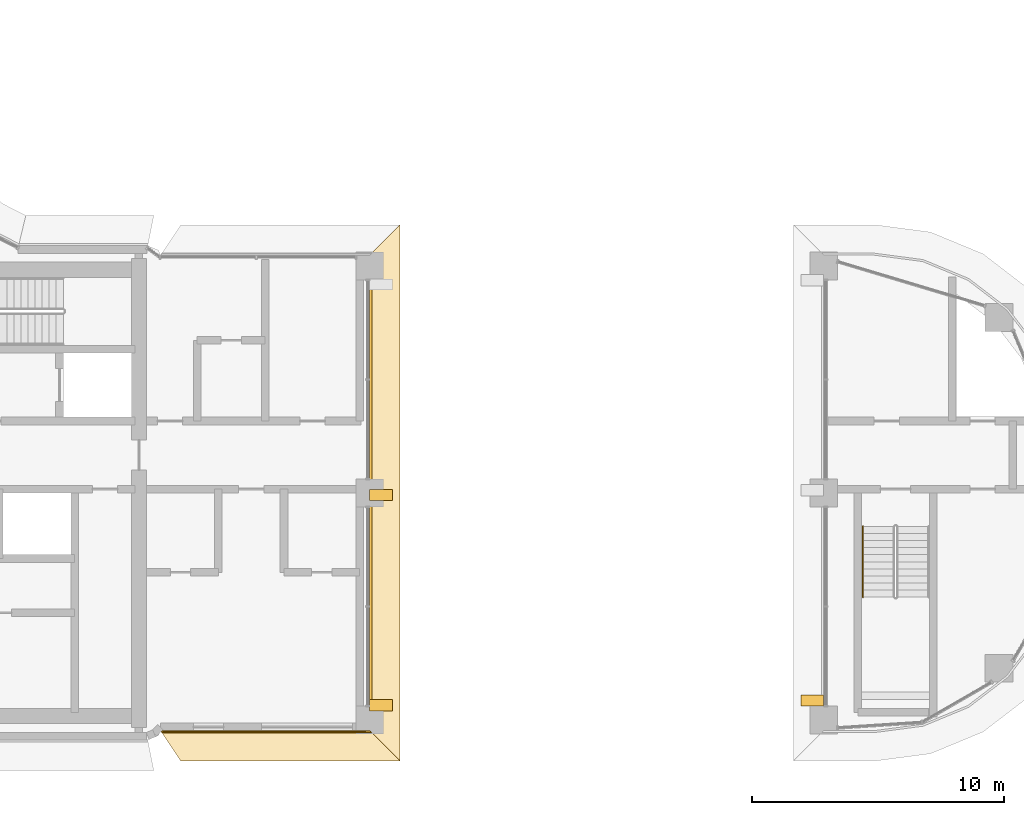
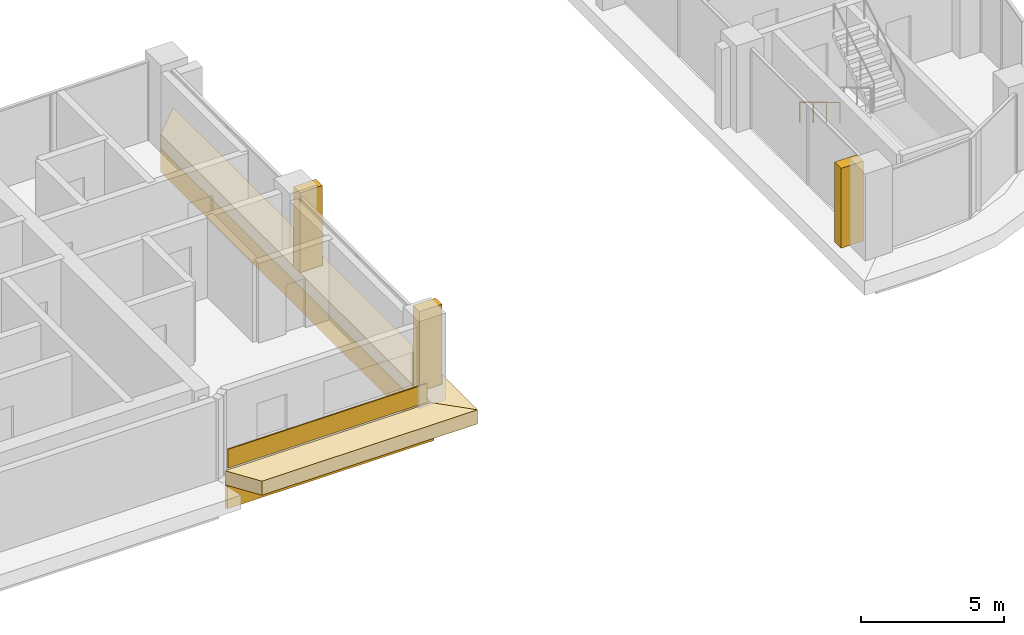
# One storey, part 19 of 24: 8 coverings, 1 railing.
"""IFC4 building model written with IfcOpenShell, lengths in metres."""

from ifc_helpers import new_model, si_unit, direction, frame, origin, origin_2d, place, context, subcontext, project, spatial, polyline, rectangle, circle, outline, extrude, material, layer, layer_set, type_object, element, save


model = new_model("IFC4")

# Units and contexts
model_context = context("Model", 3, precision=1e-05, world=origin(), true_north=direction((0.0, 1.0)))
body_context = subcontext(model_context, "Body", "Model", "MODEL_VIEW")
ifc_project = project(units=[si_unit("LENGTHUNIT", "METRE"), si_unit("AREAUNIT", "SQUARE_METRE"), si_unit("VOLUMEUNIT", "CUBIC_METRE"), si_unit("PLANEANGLEUNIT", "RADIAN"), si_unit("MASSUNIT", "GRAM", prefix="KILO")], contexts=[model_context])

# Site, building, storey
site_placement = place(None, origin())
site = spatial("IfcSite", under=ifc_project, at=site_placement, CompositionType="ELEMENT")
building_placement = place(site_placement, origin())
building = spatial("IfcBuilding", under=site, at=building_placement, Name="Ogive Portal Towers", CompositionType="ELEMENT")
storey_placement = place(building_placement, frame((0.0, 0.0, 153.300048828125)))
storey = spatial("IfcBuildingStorey", under=building, at=storey_placement, Name="L37", CompositionType="ELEMENT", Elevation=153.300048828125)

# Coverings
ifc_material_1 = material(Name="Limestone cladding on lightweight block wall", Category="masonry")
ifc_layer_1 = layer(ifc_material_1, 0.449951171875)
ifc_layer_set_1 = layer_set([ifc_layer_1], Name="BUTTRESS PIER STONE")
covering_type_1 = type_object("IfcCoveringType", Name="BUTTRESS PIER STONE", PredefinedType="CLADDING", material=ifc_layer_set_1)
for number, where, z_axis, x_axis, name in (
    (1, (67.949951171875, 30.419921875, 0.0), (0.0, 0.0, 1.0), (1.0, 0.0, 0.0), "Buttress pier A1-F13.1"),
    (2, (67.949951171875, 22.074951171875, 0.0), (0.0, 0.0, 1.0), (1.0, 0.0, 0.0), "Buttress pier A1-F13.2"),
    (3, (85.050048828125, 22.267822265625, 0.0), (0.0, 0.0, 1.0), (1.0, 0.0, 0.0), "Buttress pier A2-F01.3"),
):
    element("IfcCovering", number, at=place(storey_placement, frame(where, z_axis=z_axis, x_axis=x_axis)), inside=storey, type_object=covering_type_1, Name=name, PredefinedType="CLADDING", context=body_context, shape_type="SweptSolid", body=[
        extrude(rectangle(XDim=0.89990234375, YDim=0.449951171875, at=origin_2d()), origin(), (0.0, 0.0, 1.0), 3.39990234375),
    ])

# Railing
ifc_material_2 = material(Name="Stainless steel handrail", Category="steel")
railing_type = type_object("IfcRailingType", Name="INT-HANDRAIL", PredefinedType="HANDRAIL", material=ifc_material_2)
railing_placement = place(storey_placement, frame((87.050048828125, 29.169921875, 0.168212890625)))
element("IfcRailing", 4, at=railing_placement, inside=storey, type_object=railing_type, Name="L37 ST-A4 stair handrail 1", PredefinedType="HANDRAIL", context=body_context, shape_type="SweptSolid", body=[
    extrude(circle(Radius=0.02392578125, at=origin_2d()), frame((0.0, 0.0, 0.8759765625), z_axis=(0.0, -0.857255387014, 0.514891446264), x_axis=(1.0, 0.0, 0.0)), (0.0, 0.0, 1.0), 3.26611328125),
    extrude(circle(Radius=0.02099609375, at=origin_2d()), origin(), (0.0, 0.0, 1.0), 0.851806640625),
    extrude(circle(Radius=0.02099609375, at=origin_2d()), frame((0.0, -0.933349609375, 0.560546875)), (0.0, 0.0, 1.0), 0.851806640625),
    extrude(circle(Radius=0.02099609375, at=origin_2d()), frame((0.0, -1.866455078125, 1.12109375)), (0.0, 0.0, 1.0), 0.851806640625),
    extrude(circle(Radius=0.02099609375, at=origin_2d()), frame((0.0, -2.7998046875, 1.681640625)), (0.0, 0.0, 1.0), 0.851806640625),
])

# Coverings
ifc_layer_2 = layer(ifc_material_1, 0.050048828125)
ifc_layer_set_2 = layer_set([ifc_layer_2], Name="SCREEN PERFORATED STONE")
covering_type_2 = type_object("IfcCoveringType", Name="SCREEN PERFORATED STONE", PredefinedType="CLADDING", material=ifc_layer_set_2)
covering_1_placement = place(storey_placement, frame((63.3134765625, 21.050048828125, 0.10009765625), z_axis=(0.0, 0.0, 1.0), x_axis=(1.0, 0.0, 0.0)))
element("IfcCovering", 5, at=covering_1_placement, inside=storey, type_object=covering_type_2, Name="Tracery screen", PredefinedType="CLADDING", context=body_context, shape_type="SweptSolid", body=[
    extrude(rectangle(XDim=8.01318359375, YDim=0.050048828125, at=origin_2d()), origin(), (0.0, 0.0, 1.0), 0.800048828125),
])
ifc_layer_3 = layer(ifc_material_1, 0.080078125)
ifc_layer_set_3 = layer_set([ifc_layer_3], Name="STONE SPANDREL 80")
covering_type_3 = type_object("IfcCoveringType", Name="STONE SPANDREL 80", PredefinedType="CLADDING", material=ifc_layer_set_3)
covering_2_placement = place(storey_placement, frame((0.0, 0.0, -1.60009765625)))
element("IfcCovering", 6, at=covering_2_placement, inside=storey, type_object=covering_type_3, Name="Stone spandrel A1-F12", PredefinedType="CLADDING", context=body_context, shape_type="SweptSolid", body=[
    extrude(outline(polyline([(59.206787109375, 21.074951171875), (67.5, 21.074951171875), (67.580078125, 20.9951171875), (59.26025390625, 20.9951171875), (59.206787109375, 21.074951171875)])), origin(), (0.0, 0.0, 1.0), 1.0),
])
covering_3_placement = place(storey_placement, frame((0.0, 0.0, -1.60009765625)))
element("IfcCovering", 7, at=covering_3_placement, inside=storey, type_object=covering_type_3, Name="Stone spandrel A1-F13", PredefinedType="CLADDING", context=body_context, shape_type="SweptSolid", body=[
    extrude(outline(polyline([(67.5, 21.074951171875), (67.5, 39.925048828125), (67.580078125, 40.0048828125), (67.580078125, 20.9951171875), (67.5, 21.074951171875)])), origin(), (0.0, 0.0, 1.0), 1.0),
])
ifc_layer_4 = layer(ifc_material_1, 0.60009765625)
ifc_layer_set_4 = layer_set([ifc_layer_4], Name="SUNSHADE LIP 600")
covering_type_4 = type_object("IfcCoveringType", Name="SUNSHADE LIP 600", PredefinedType="CLADDING", material=ifc_layer_set_4)
covering_4_placement = place(storey_placement, frame((0.0, 0.0, -0.60009765625)))
element("IfcCovering", 8, at=covering_4_placement, inside=storey, type_object=covering_type_4, Name="Sunshade lip A1-F12", PredefinedType="CLADDING", context=body_context, shape_type="SweptSolid", body=[
    extrude(outline(polyline([(59.206787109375, 21.074951171875), (67.5, 21.074951171875), (68.699951171875, 19.875), (60.008544921875, 19.875), (59.206787109375, 21.074951171875)])), origin(), (0.0, 0.0, 1.0), 0.60009765625),
])
covering_5_placement = place(storey_placement, frame((0.0, 0.0, -0.60009765625)))
element("IfcCovering", 9, at=covering_5_placement, inside=storey, type_object=covering_type_4, Name="Sunshade lip A1-F13", PredefinedType="CLADDING", context=body_context, shape_type="SweptSolid", body=[
    extrude(outline(polyline([(67.5, 21.074951171875), (67.5, 39.925048828125), (68.699951171875, 41.125), (68.699951171875, 19.875), (67.5, 21.074951171875)])), origin(), (0.0, 0.0, 1.0), 0.60009765625),
])

save(model, "model.ifc")
